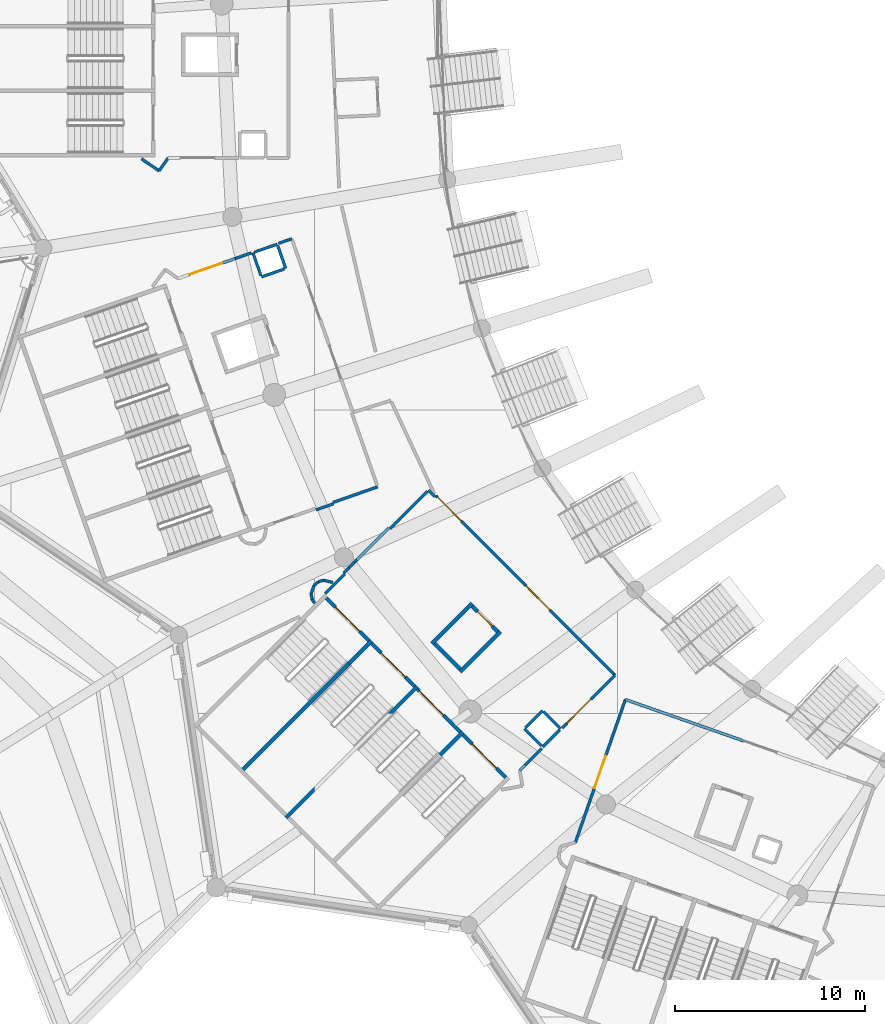
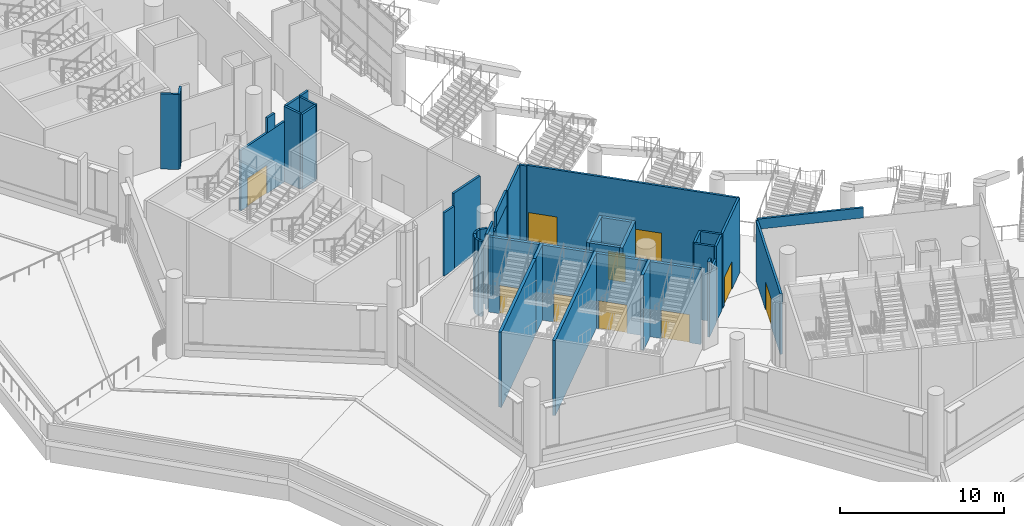
# One storey, part 43 of 173: 46 walls, 10 doors, 10 openings.
"""IFC4 building model written with IfcOpenShell, lengths in metres."""

from ifc_helpers import new_model, si_unit, direction, frame, frame_2d, origin, place, context, subcontext, project, spatial, rectangle, extrude, material, layer, layer_set, type_object, element, fill, save


model = new_model("IFC4")

# Units and contexts
model_context = context("Model", 3, precision=1e-05, world=origin(), true_north=direction((0.0, 1.0)))
body_context = subcontext(model_context, "Body", "Model", "MODEL_VIEW")
ifc_project = project(units=[si_unit("LENGTHUNIT", "METRE"), si_unit("AREAUNIT", "SQUARE_METRE"), si_unit("VOLUMEUNIT", "CUBIC_METRE"), si_unit("PLANEANGLEUNIT", "RADIAN"), si_unit("MASSUNIT", "GRAM", prefix="KILO")], contexts=[model_context])

# Site, building, storey
site_placement = place(None, origin())
site = spatial("IfcSite", under=ifc_project, at=site_placement, CompositionType="ELEMENT")
building_placement = place(site_placement, origin())
building = spatial("IfcBuilding", under=site, at=building_placement, Name="Meseta Stadium", CompositionType="ELEMENT")
storey_placement = place(building_placement, frame((0.0, 0.0, 18.0)))
storey = spatial("IfcBuildingStorey", under=building, at=storey_placement, Name="L03", CompositionType="ELEMENT", Elevation=18.0)

# Walls
ifc_material_1 = material(Name="Concrete C40/50", Category="concrete")
ifc_layer_1 = layer(ifc_material_1, 0.199951171875)
ifc_layer_set_1 = layer_set([ifc_layer_1], Name="Core divider wall 200")
wall_type_1 = type_object("IfcWallType", Name="Core divider wall 200", PredefinedType="SHEAR", material=ifc_layer_set_1)
wall_1_placement = place(storey_placement, frame((-83.90087890625, -83.092529296875, 0.0), z_axis=(0.0, 0.0, 1.0), x_axis=(0.707106781187, 0.707106781187, 0.0)))
element("IfcWall", 1, at=wall_1_placement, inside=storey, type_object=wall_type_1, Name="Core 21 L03 stair A divider wall", PredefinedType="SHEAR", context=body_context, shape_type="SweptSolid", body=[
    extrude(rectangle(XDim=8.099853515625, YDim=0.199951171875, at=frame_2d((4.0498046875, 0.0))), origin(), (0.0, 0.0, 1.0), 5.60009765625),
])
for number, where, z_axis, x_axis, name in (
    (2, (-78.17333984375, -77.364990234375, 0.0), (0.0, 0.0, 1.0), (0.707178586901, 0.707034968179, 0.0), "Core 21 L03 stair A divider wall"),
    (3, (-73.364990234375, -82.17333984375, 0.0), (0.0, 0.0, 1.0), (0.707034968179, 0.707178586901, 0.0), "Core 21 L03 stair B divider wall"),
):
    element("IfcWall", number, at=place(storey_placement, frame(where, z_axis=z_axis, x_axis=x_axis)), inside=storey, type_object=wall_type_1, Name=name, PredefinedType="SHEAR", context=body_context, shape_type="SweptSolid", body=[
        extrude(rectangle(XDim=1.699951171875, YDim=0.199951171875, at=frame_2d((0.85009765625, 0.0))), origin(), (0.0, 0.0, 1.0), 5.60009765625),
    ])
ifc_material_2 = material(Name="Concrete C40/50", Category="concrete")
ifc_layer_2 = layer(ifc_material_2, 0.199951171875)
ifc_layer_set_2 = layer_set([ifc_layer_2], Name="Core shaft wall 200")
wall_type_2 = type_object("IfcWallType", Name="Core shaft wall 200", PredefinedType="SHEAR", material=ifc_layer_set_2)
wall_2_placement = place(storey_placement, frame((-81.496826171875, -85.496826171875, 0.0), z_axis=(0.0, 0.0, 1.0), x_axis=(0.707106781187, 0.707106781187, 0.0)))
element("IfcWall", 4, at=wall_2_placement, inside=storey, type_object=wall_type_2, Name="Core 21 L03 stair wall shared", PredefinedType="SHEAR", context=body_context, shape_type="SweptSolid", body=[
    extrude(rectangle(XDim=9.800048828125, YDim=0.199951171875, at=frame_2d((4.89990234375, 0.0))), origin(), (0.0, 0.0, 1.0), 5.60009765625),
])

# Wall, opening, door
wall_3_placement = place(storey_placement, frame((-79.37548828125, -73.900146484375, 0.0), z_axis=(0.0, 0.0, 1.0), x_axis=(0.707068634461, -0.707144925854, 0.0)))
wall_3 = element("IfcWall", 5, at=wall_3_placement, inside=storey, type_object=wall_type_2, Name="Core 21 L03 stair A1 inner end wall", PredefinedType="SHEAR", context=body_context, shape_type="SweptSolid", body=[
    extrude(rectangle(XDim=3.2001953125, YDim=0.199951171875, at=frame_2d((1.60009765625, 0.0))), origin(), (0.0, 0.0, 1.0), 5.60009765625),
])
opening_1_placement = place(wall_3_placement, frame((0.699951171875, 0.0, 0.0)))
opening_1 = element("IfcOpeningElement", 6, at=opening_1_placement, cuts=wall_3, Name="Opening D1333", PredefinedType="OPENING", context=body_context, shape_type="SweptSolid", body=[
    extrude(rectangle(XDim=1.800048828125, YDim=2.10009765625, at=frame_2d((0.89990234375, 1.050048828125))), frame((0.0, 0.10986328125, 0.0), z_axis=(0.0, -1.0, 0.0), x_axis=(1.0, 0.0, 0.0)), (0.0, 0.0, 1.0), 0.219970703125),
])
ifc_material_3 = material(Name="Steel", Category="steel")
door_type_1 = type_object("IfcDoorType", Name="Stair door 1800x2100", OperationType="DOUBLE_DOOR_SINGLE_SWING", PredefinedType="DOOR", material=ifc_material_3)
door_1_placement = place(opening_1_placement, origin())
door_1 = element("IfcDoor", 7, at=door_1_placement, inside=storey, type_object=door_type_1, Name="Stair A1 door 21 L03", OperationType="DOUBLE_DOOR_SINGLE_SWING", OverallHeight=2.10009765625, OverallWidth=1.800048828125, PredefinedType="DOOR", context=body_context, shape_type="SweptSolid", body=[
    extrude(rectangle(XDim=1.800048828125, YDim=2.10009765625, at=frame_2d((0.89990234375, 1.050048828125))), frame((0.0, 0.02490234375, 0.0), z_axis=(0.0, -1.0, 0.0), x_axis=(1.0, 0.0, 0.0)), (0.0, 0.0, 1.0), 0.050048828125),
])
fill(opening_1, door_1)

wall_4_placement = place(storey_placement, frame((-76.97119140625, -76.304443359375, 0.0), z_axis=(0.0, 0.0, 1.0), x_axis=(0.707106781187, -0.707106781187, 0.0)))
wall_4 = element("IfcWall", 8, at=wall_4_placement, inside=storey, type_object=wall_type_2, Name="Core 21 L03 stair A2 inner end wall", PredefinedType="SHEAR", context=body_context, shape_type="SweptSolid", body=[
    extrude(rectangle(XDim=3.199951171875, YDim=0.199951171875, at=frame_2d((1.60009765625, 0.0))), origin(), (0.0, 0.0, 1.0), 5.60009765625),
])
opening_2_placement = place(wall_4_placement, frame((0.699951171875, 0.0, 0.0)))
opening_2 = element("IfcOpeningElement", 9, at=opening_2_placement, cuts=wall_4, Name="Opening D1340", PredefinedType="OPENING", context=body_context, shape_type="SweptSolid", body=[
    extrude(rectangle(XDim=1.800048828125, YDim=2.10009765625, at=frame_2d((0.89990234375, 1.050048828125))), frame((0.0, 0.10986328125, 0.0), z_axis=(0.0, -1.0, 0.0), x_axis=(1.0, 0.0, 0.0)), (0.0, 0.0, 1.0), 0.219970703125),
])
door_2_placement = place(opening_2_placement, origin())
door_2 = element("IfcDoor", 10, at=door_2_placement, inside=storey, type_object=door_type_1, Name="Stair A2 door 21 L03", OperationType="DOUBLE_DOOR_SINGLE_SWING", OverallHeight=2.10009765625, OverallWidth=1.800048828125, PredefinedType="DOOR", context=body_context, shape_type="SweptSolid", body=[
    extrude(rectangle(XDim=1.800048828125, YDim=2.10009765625, at=frame_2d((0.89990234375, 1.050048828125))), frame((0.0, 0.02490234375, 0.0), z_axis=(0.0, -1.0, 0.0), x_axis=(1.0, 0.0, 0.0)), (0.0, 0.0, 1.0), 0.050048828125),
])
fill(opening_2, door_2)

wall_5_placement = place(storey_placement, frame((-74.567138671875, -78.70849609375, 0.0), z_axis=(0.0, 0.0, 1.0), x_axis=(0.707106781187, -0.707106781187, 0.0)))
wall_5 = element("IfcWall", 11, at=wall_5_placement, inside=storey, type_object=wall_type_2, Name="Core 21 L03 stair B1 inner end wall", PredefinedType="SHEAR", context=body_context, shape_type="SweptSolid", body=[
    extrude(rectangle(XDim=3.199951171875, YDim=0.199951171875, at=frame_2d((1.60009765625, 0.0))), origin(), (0.0, 0.0, 1.0), 5.60009765625),
])
opening_3_placement = place(wall_5_placement, frame((0.14990234375, 0.0, 0.0)))
opening_3 = element("IfcOpeningElement", 12, at=opening_3_placement, cuts=wall_5, Name="Opening D1342", PredefinedType="OPENING", context=body_context, shape_type="SweptSolid", body=[
    extrude(rectangle(XDim=1.800048828125, YDim=2.10009765625, at=frame_2d((0.89990234375, 1.050048828125))), frame((0.0, 0.10986328125, 0.0), z_axis=(0.0, -1.0, 0.0), x_axis=(1.0, 0.0, 0.0)), (0.0, 0.0, 1.0), 0.219970703125),
])
door_3_placement = place(opening_3_placement, origin())
door_3 = element("IfcDoor", 13, at=door_3_placement, inside=storey, type_object=door_type_1, Name="Stair B1 door 21 L03", OperationType="DOUBLE_DOOR_SINGLE_SWING", OverallHeight=2.10009765625, OverallWidth=1.800048828125, PredefinedType="DOOR", context=body_context, shape_type="SweptSolid", body=[
    extrude(rectangle(XDim=1.800048828125, YDim=2.10009765625, at=frame_2d((0.89990234375, 1.050048828125))), frame((0.0, 0.02490234375, 0.0), z_axis=(0.0, -1.0, 0.0), x_axis=(1.0, 0.0, 0.0)), (0.0, 0.0, 1.0), 0.050048828125),
])
fill(opening_3, door_3)

wall_6_placement = place(storey_placement, frame((-72.1630859375, -81.11279296875, 0.0), z_axis=(0.0, 0.0, 1.0), x_axis=(0.707144925854, -0.707068634461, 0.0)))
wall_6 = element("IfcWall", 14, at=wall_6_placement, inside=storey, type_object=wall_type_2, Name="Core 21 L03 stair B2 inner end wall", PredefinedType="SHEAR", context=body_context, shape_type="SweptSolid", body=[
    extrude(rectangle(XDim=3.2001953125, YDim=0.199951171875, at=frame_2d((1.60009765625, 0.0))), origin(), (0.0, 0.0, 1.0), 5.60009765625),
])
opening_4_placement = place(wall_6_placement, frame((0.699951171875, 0.0, 0.0)))
opening_4 = element("IfcOpeningElement", 15, at=opening_4_placement, cuts=wall_6, Name="Opening D1345", PredefinedType="OPENING", context=body_context, shape_type="SweptSolid", body=[
    extrude(rectangle(XDim=1.800048828125, YDim=2.10009765625, at=frame_2d((0.89990234375, 1.050048828125))), frame((0.0, 0.10986328125, 0.0), z_axis=(0.0, -1.0, 0.0), x_axis=(1.0, 0.0, 0.0)), (0.0, 0.0, 1.0), 0.219970703125),
])
door_4_placement = place(opening_4_placement, origin())
door_4 = element("IfcDoor", 16, at=door_4_placement, inside=storey, type_object=door_type_1, Name="Stair B2 door 21 L03", OperationType="DOUBLE_DOOR_SINGLE_SWING", OverallHeight=2.10009765625, OverallWidth=1.800048828125, PredefinedType="DOOR", context=body_context, shape_type="SweptSolid", body=[
    extrude(rectangle(XDim=1.800048828125, YDim=2.10009765625, at=frame_2d((0.89990234375, 1.050048828125))), frame((0.0, 0.02490234375, 0.0), z_axis=(0.0, -1.0, 0.0), x_axis=(1.0, 0.0, 0.0)), (0.0, 0.0, 1.0), 0.050048828125),
])
fill(opening_4, door_4)

# Walls
for number, where, z_axis, x_axis, name in (
    (17, (-73.796875, -76.311767578125, 0.0), (0.0, 0.0, 1.0), (0.707106781187, 0.707106781187, 0.0), "Core 21 L03 lift shaft wall left"),
    (18, (-72.311767578125, -77.796875, 0.0), (0.0, 0.0, 1.0), (0.707106781187, 0.707106781187, 0.0), "Core 21 L03 lift shaft wall right"),
):
    element("IfcWall", number, at=place(storey_placement, frame(where, z_axis=z_axis, x_axis=x_axis)), inside=storey, type_object=wall_type_2, Name=name, PredefinedType="SHEAR", context=body_context, shape_type="SweptSolid", body=[
        extrude(rectangle(XDim=3.0, YDim=0.199951171875, at=frame_2d((1.5, 0.0))), origin(), (0.0, 0.0, 1.0), 4.60009765625),
    ])
wall_7_placement = place(storey_placement, frame((-73.655517578125, -76.311767578125, 0.0), z_axis=(0.0, 0.0, 1.0), x_axis=(0.707106781187, -0.707106781187, 0.0)))
element("IfcWall", 19, at=wall_7_placement, inside=storey, type_object=wall_type_2, Name="Core 21 L03 lift shaft back wall", PredefinedType="SHEAR", context=body_context, shape_type="SweptSolid", body=[
    extrude(rectangle(XDim=1.900390625, YDim=0.199951171875, at=frame_2d((0.9501953125, 0.0))), origin(), (0.0, 0.0, 1.0), 4.60009765625),
])

# Wall, opening, door
wall_8_placement = place(storey_placement, frame((-71.675537109375, -74.331787109375, 0.0), z_axis=(0.0, 0.0, 1.0), x_axis=(0.707106781187, -0.707106781187, 0.0)))
wall_8 = element("IfcWall", 20, at=wall_8_placement, inside=storey, type_object=wall_type_2, Name="Core 21 L03 lift shaft front wall", PredefinedType="SHEAR", context=body_context, shape_type="SweptSolid", body=[
    extrude(rectangle(XDim=1.900390625, YDim=0.199951171875, at=frame_2d((0.9501953125, 0.0))), origin(), (0.0, 0.0, 1.0), 4.60009765625),
])
opening_5_placement = place(wall_8_placement, frame((0.39990234375, 0.0, 0.0)))
opening_5 = element("IfcOpeningElement", 21, at=opening_5_placement, cuts=wall_8, Name="Opening LD119", PredefinedType="OPENING", context=body_context, shape_type="SweptSolid", body=[
    extrude(rectangle(XDim=1.10009765625, YDim=2.10009765625, at=frame_2d((0.550048828125, 1.050048828125))), frame((0.0, 0.10986328125, 0.0), z_axis=(0.0, -1.0, 0.0), x_axis=(1.0, 0.0, 0.0)), (0.0, 0.0, 1.0), 0.219970703125),
])
ifc_material_4 = material(Name="Steel", Category="steel")
door_type_2 = type_object("IfcDoorType", Name="Lift landing door 1100x2100", OperationType="SLIDING_TO_LEFT", PredefinedType="DOOR", material=ifc_material_4)
door_5_placement = place(opening_5_placement, origin())
door_5 = element("IfcDoor", 22, at=door_5_placement, inside=storey, type_object=door_type_2, Name="Lift landing door LD119", OperationType="SLIDING_TO_LEFT", OverallHeight=2.10009765625, OverallWidth=1.10009765625, PredefinedType="DOOR", context=body_context, shape_type="SweptSolid", body=[
    extrude(rectangle(XDim=1.10009765625, YDim=2.10009765625, at=frame_2d((0.550048828125, 1.050048828125))), frame((0.0, 0.02490234375, 0.0), z_axis=(0.0, -1.0, 0.0), x_axis=(1.0, 0.0, 0.0)), (0.0, 0.0, 1.0), 0.050048828125),
])
fill(opening_5, door_5)

# Walls
ifc_material_5 = material(Name="Masonry blockwork", Category="masonry")
ifc_layer_3 = layer(ifc_material_5, 0.14990234375)
ifc_layer_set_3 = layer_set([ifc_layer_3], Name="Partition 150")
wall_type_3 = type_object("IfcWallType", Name="Partition 150", PredefinedType="PARTITIONING", material=ifc_layer_set_3)
wall_9_placement = place(storey_placement, frame((-79.0087890625, -68.860595703125, 0.0), z_axis=(0.0, 0.0, 1.0), x_axis=(0.943873667714, 0.330306674768, 0.0)))
element("IfcWall", 23, at=wall_9_placement, inside=storey, type_object=wall_type_3, Name="Partition L03 L03-cell19-1-0w", PredefinedType="PARTITIONING", context=body_context, shape_type="SweptSolid", body=[
    extrude(rectangle(XDim=2.485595703125, YDim=0.14990234375, at=frame_2d((1.24267578125, 0.0))), origin(), (0.0, 0.0, 1.0), 5.60009765625),
])
wall_10_placement = place(storey_placement, frame((-73.63525390625, -68.5537109375, 0.0), z_axis=(0.0, 0.0, 1.0), x_axis=(-0.707106781187, 0.707106781187, 0.0)))
element("IfcWall", 24, at=wall_10_placement, inside=storey, type_object=wall_type_3, Name="Partition L03 L03-cell19-1-0w", PredefinedType="PARTITIONING", context=body_context, shape_type="SweptSolid", body=[
    extrude(rectangle(XDim=0.478271484375, YDim=0.14990234375, at=frame_2d((0.2392578125, 0.0))), origin(), (0.0, 0.0, 1.0), 5.60009765625),
])
wall_11_placement = place(storey_placement, frame((-74.026611328125, -68.2685546875, 0.0), z_axis=(0.0, 0.0, 1.0), x_axis=(-0.707106781187, -0.707106781187, 0.0)))
element("IfcWall", 25, at=wall_11_placement, inside=storey, type_object=wall_type_3, Name="Partition L03 L03-cell19-1-0w", PredefinedType="PARTITIONING", context=body_context, shape_type="SweptSolid", body=[
    extrude(rectangle(XDim=2.812255859375, YDim=0.14990234375, at=frame_2d((1.40625, 0.0))), origin(), (0.0, 0.0, 1.0), 5.60009765625),
])
wall_12_placement = place(storey_placement, frame((-78.39697265625, -72.638916015625, 0.0), z_axis=(0.0, 0.0, 1.0), x_axis=(-0.707106781187, -0.707106781187, 0.0)))
element("IfcWall", 26, at=wall_12_placement, inside=storey, type_object=wall_type_3, Name="Partition L03 L03-cell19-1-0w", PredefinedType="PARTITIONING", context=body_context, shape_type="SweptSolid", body=[
    extrude(rectangle(XDim=1.44384765625, YDim=0.14990234375, at=frame_2d((0.721923828125, 0.0))), origin(), (0.0, 0.0, 1.0), 5.60009765625),
])
wall_13_placement = place(storey_placement, frame((-89.11962890625, -50.739501953125, 0.0), z_axis=(0.0, 0.0, 1.0), x_axis=(0.827055308354, -0.562120553728, 0.0)))
element("IfcWall", 27, at=wall_13_placement, inside=storey, type_object=wall_type_3, Name="Stair vestibule wall L03 core 19", PredefinedType="PARTITIONING", context=body_context, shape_type="SweptSolid", body=[
    extrude(rectangle(XDim=1.1279296875, YDim=0.14990234375, at=frame_2d((0.56396484375, 0.0))), origin(), (0.0, 0.0, 1.0), 5.60009765625),
])
wall_14_placement = place(storey_placement, frame((-88.186767578125, -51.37353515625, 0.0), z_axis=(0.0, 0.0, 1.0), x_axis=(0.575376756214, 0.817888493872, 0.0)))
element("IfcWall", 28, at=wall_14_placement, inside=storey, type_object=wall_type_3, Name="Stair vestibule wall L03 core 19", PredefinedType="PARTITIONING", context=body_context, shape_type="SweptSolid", body=[
    extrude(rectangle(XDim=0.82958984375, YDim=0.14990234375, at=frame_2d((0.414794921875, 0.0))), origin(), (0.0, 0.0, 1.0), 5.60009765625),
])
for number, where, z_axis, x_axis, name in (
    (29, (-83.234619140625, -55.692138671875, 0.0), (0.0, 0.0, 1.0), (0.330324835387, -0.943867312246, 0.0), "Pressurisation shaft wall L03 core 20"),
    (30, (-82.78857421875, -56.96630859375, 0.0), (0.0, 0.0, 1.0), (0.943927004722, 0.330154221169, 0.0), "Pressurisation shaft wall L03 core 20"),
    (31, (-81.514404296875, -56.5205078125, 0.0), (0.0, 0.0, 1.0), (-0.330154221169, 0.943927004722, 0.0), "Pressurisation shaft wall L03 core 20"),
):
    element("IfcWall", number, at=place(storey_placement, frame(where, z_axis=z_axis, x_axis=x_axis)), inside=storey, type_object=wall_type_3, Name=name, PredefinedType="PARTITIONING", context=body_context, shape_type="SweptSolid", body=[
        extrude(rectangle(XDim=1.27490234375, YDim=0.14990234375, at=frame_2d((0.637451171875, 0.0))), origin(), (0.0, 0.0, 1.0), 5.60009765625),
    ])
wall_15_placement = place(storey_placement, frame((-81.960205078125, -55.246337890625, 0.0), z_axis=(0.0, 0.0, 1.0), x_axis=(-0.943888201207, -0.330265141396, 0.0)))
element("IfcWall", 32, at=wall_15_placement, inside=storey, type_object=wall_type_3, Name="Pressurisation shaft wall L03 core 20", PredefinedType="PARTITIONING", context=body_context, shape_type="SweptSolid", body=[
    extrude(rectangle(XDim=1.275146484375, YDim=0.14990234375, at=frame_2d((0.6376953125, 0.0))), origin(), (0.0, 0.0, 1.0), 5.60009765625),
])
wall_16_placement = place(storey_placement, frame((-79.9130859375, -69.25634765625, 0.0), z_axis=(0.0, 0.0, 1.0), x_axis=(0.943893508812, 0.330249972024, 0.0)))
element("IfcWall", 33, at=wall_16_placement, inside=storey, type_object=wall_type_3, Name="Stair vestibule wall L03 core 20", PredefinedType="PARTITIONING", context=body_context, shape_type="SweptSolid", body=[
    extrude(rectangle(XDim=0.974365234375, YDim=0.14990234375, at=frame_2d((0.4873046875, 0.0))), origin(), (0.0, 0.0, 1.0), 4.699951171875),
])
wall_17_placement = place(storey_placement, frame((-81.193115234375, -54.956787109375, 0.0), z_axis=(0.0, 0.0, 1.0), x_axis=(-0.943920171365, -0.330173757421, 0.0)))
element("IfcWall", 34, at=wall_17_placement, inside=storey, type_object=wall_type_3, Name="Stair vestibule wall L03 core 20", PredefinedType="PARTITIONING", context=body_context, shape_type="SweptSolid", body=[
    extrude(rectangle(XDim=0.73876953125, YDim=0.14990234375, at=frame_2d((0.369384765625, 0.0))), origin(), (0.0, 0.0, 1.0), 5.60009765625),
])

# Wall, opening, door
wall_18_placement = place(storey_placement, frame((-83.3212890625, -55.701416015625, 0.0), z_axis=(0.0, 0.0, 1.0), x_axis=(-0.943873211719, -0.330307977801, 0.0)))
wall_18 = element("IfcWall", 35, at=wall_18_placement, inside=storey, type_object=wall_type_3, Name="Stair vestibule wall L03 core 20", PredefinedType="PARTITIONING", context=body_context, shape_type="SweptSolid", body=[
    extrude(rectangle(XDim=4.09912109375, YDim=0.14990234375, at=frame_2d((2.049560546875, 0.0))), origin(), (0.0, 0.0, 1.0), 4.5),
])
opening_6_placement = place(wall_18_placement, frame((1.64990234375, 0.0, 0.0)))
opening_6 = element("IfcOpeningElement", 36, at=opening_6_placement, cuts=wall_18, Name="Opening D1310", PredefinedType="OPENING", context=body_context, shape_type="SweptSolid", body=[
    extrude(rectangle(XDim=1.800048828125, YDim=2.10009765625, at=frame_2d((0.89990234375, 1.050048828125))), frame((0.0, 0.0849609375, 0.0), z_axis=(0.0, -1.0, 0.0), x_axis=(1.0, 0.0, 0.0)), (0.0, 0.0, 1.0), 0.169921875),
])
ifc_material_6 = material(Name="Steel", Category="steel")
door_type_3 = type_object("IfcDoorType", Name="Fire double door 1800x2100 EI2 60", OperationType="DOUBLE_DOOR_SINGLE_SWING", PredefinedType="DOOR", material=ifc_material_6)
door_6_placement = place(opening_6_placement, origin())
door_6 = element("IfcDoor", 37, at=door_6_placement, inside=storey, type_object=door_type_3, Name="Stair vestibule door L03 core 20", OperationType="DOUBLE_DOOR_SINGLE_SWING", OverallHeight=2.10009765625, OverallWidth=1.800048828125, PredefinedType="DOOR", context=body_context, shape_type="SweptSolid", body=[
    extrude(rectangle(XDim=1.800048828125, YDim=2.10009765625, at=frame_2d((0.89990234375, 1.050048828125))), frame((0.0, 0.02490234375, 0.0), z_axis=(0.0, -1.0, 0.0), x_axis=(1.0, 0.0, 0.0)), (0.0, 0.0, 1.0), 0.050048828125),
])
fill(opening_6, door_6)

# Walls
for number, where, z_axis, x_axis, name in (
    (38, (-68.917724609375, -80.802001953125, 0.0), (0.0, 0.0, 1.0), (0.707106781187, -0.707106781187, 0.0), "Pressurisation shaft wall L03 core 21"),
    (39, (-67.963134765625, -81.756591796875, 0.0), (0.0, 0.0, 1.0), (0.707106781187, 0.707106781187, 0.0), "Pressurisation shaft wall L03 core 21"),
    (40, (-67.008544921875, -80.802001953125, 0.0), (0.0, 0.0, 1.0), (-0.707106781187, 0.707106781187, 0.0), "Pressurisation shaft wall L03 core 21"),
):
    element("IfcWall", number, at=place(storey_placement, frame(where, z_axis=z_axis, x_axis=x_axis)), inside=storey, type_object=wall_type_3, Name=name, PredefinedType="PARTITIONING", context=body_context, shape_type="SweptSolid", body=[
        extrude(rectangle(XDim=1.275146484375, YDim=0.14990234375, at=frame_2d((0.6376953125, 0.0))), origin(), (0.0, 0.0, 1.0), 5.60009765625),
    ])
wall_19_placement = place(storey_placement, frame((-67.963134765625, -79.847412109375, 0.0), z_axis=(0.0, 0.0, 1.0), x_axis=(-0.707202523759, -0.707011025648, 0.0)))
element("IfcWall", 41, at=wall_19_placement, inside=storey, type_object=wall_type_3, Name="Pressurisation shaft wall L03 core 21", PredefinedType="PARTITIONING", context=body_context, shape_type="SweptSolid", body=[
    extrude(rectangle(XDim=1.27490234375, YDim=0.14990234375, at=frame_2d((0.637451171875, 0.0))), origin(), (0.0, 0.0, 1.0), 5.60009765625),
])

# Wall, opening, door
wall_20_placement = place(storey_placement, frame((-66.934326171875, -80.756103515625, 0.0), z_axis=(0.0, 0.0, 1.0), x_axis=(0.707075757526, 0.707137803486, 0.0)))
wall_20 = element("IfcWall", 42, at=wall_20_placement, inside=storey, type_object=wall_type_3, Name="Stair vestibule wall L03 core 21", PredefinedType="PARTITIONING", context=body_context, shape_type="SweptSolid", body=[
    extrude(rectangle(XDim=3.934814453125, YDim=0.14990234375, at=frame_2d((1.96728515625, 0.0))), origin(), (0.0, 0.0, 1.0), 5.60009765625),
])
opening_7_placement = place(wall_20_placement, frame((0.35009765625, 0.0, 0.0)))
opening_7 = element("IfcOpeningElement", 43, at=opening_7_placement, cuts=wall_20, Name="Opening D1349", PredefinedType="OPENING", context=body_context, shape_type="SweptSolid", body=[
    extrude(rectangle(XDim=1.800048828125, YDim=2.10009765625, at=frame_2d((0.89990234375, 1.050048828125))), frame((0.0, 0.0849609375, 0.0), z_axis=(0.0, -1.0, 0.0), x_axis=(1.0, 0.0, 0.0)), (0.0, 0.0, 1.0), 0.169921875),
])
door_7_placement = place(opening_7_placement, origin())
door_7 = element("IfcDoor", 44, at=door_7_placement, inside=storey, type_object=door_type_3, Name="Stair vestibule door L03 core 21", OperationType="DOUBLE_DOOR_SINGLE_SWING", OverallHeight=2.10009765625, OverallWidth=1.800048828125, PredefinedType="DOOR", context=body_context, shape_type="SweptSolid", body=[
    extrude(rectangle(XDim=1.800048828125, YDim=2.10009765625, at=frame_2d((0.89990234375, 1.050048828125))), frame((0.0, 0.02490234375, 0.0), z_axis=(0.0, -1.0, 0.0), x_axis=(1.0, 0.0, 0.0)), (0.0, 0.0, 1.0), 0.050048828125),
])
fill(opening_7, door_7)

# Wall, openings, doors
wall_21_placement = place(storey_placement, frame((-64.152099609375, -77.9736328125, 0.0), z_axis=(0.0, 0.0, 1.0), x_axis=(-0.705496399325, 0.70871350385, 0.0)))
wall_21 = element("IfcWall", 45, at=wall_21_placement, inside=storey, type_object=wall_type_3, Name="Stair vestibule wall L03 core 21", PredefinedType="PARTITIONING", context=body_context, shape_type="SweptSolid", body=[
    extrude(rectangle(XDim=13.3564453125, YDim=0.14990234375, at=frame_2d((6.67822265625, 0.0))), origin(), (0.0, 0.0, 1.0), 5.60009765625),
])
opening_8_placement = place(wall_21_placement, frame((4.85009765625, 0.0, 0.0)))
opening_8 = element("IfcOpeningElement", 46, at=opening_8_placement, cuts=wall_21, Name="Opening D1347", PredefinedType="OPENING", context=body_context, shape_type="SweptSolid", body=[
    extrude(rectangle(XDim=1.800048828125, YDim=2.10009765625, at=frame_2d((0.89990234375, 1.050048828125))), frame((0.0, 0.0849609375, 0.0), z_axis=(0.0, -1.0, 0.0), x_axis=(1.0, 0.0, 0.0)), (0.0, 0.0, 1.0), 0.169921875),
])
opening_9_placement = place(wall_21_placement, frame((11.449951171875, 0.0, 0.0)))
opening_9 = element("IfcOpeningElement", 47, at=opening_9_placement, cuts=wall_21, Name="Opening D1343", PredefinedType="OPENING", context=body_context, shape_type="SweptSolid", body=[
    extrude(rectangle(XDim=1.800048828125, YDim=2.10009765625, at=frame_2d((0.89990234375, 1.050048828125))), frame((0.0, 0.0849609375, 0.0), z_axis=(0.0, -1.0, 0.0), x_axis=(1.0, 0.0, 0.0)), (0.0, 0.0, 1.0), 0.169921875),
])
door_8_placement = place(opening_8_placement, origin())
door_8 = element("IfcDoor", 48, at=door_8_placement, inside=storey, type_object=door_type_3, Name="Stair vestibule door L03 core 21", OperationType="DOUBLE_DOOR_SINGLE_SWING", OverallHeight=2.10009765625, OverallWidth=1.800048828125, PredefinedType="DOOR", context=body_context, shape_type="SweptSolid", body=[
    extrude(rectangle(XDim=1.800048828125, YDim=2.10009765625, at=frame_2d((0.89990234375, 1.050048828125))), frame((0.0, 0.02490234375, 0.0), z_axis=(0.0, -1.0, 0.0), x_axis=(1.0, 0.0, 0.0)), (0.0, 0.0, 1.0), 0.050048828125),
])
fill(opening_8, door_8)
door_9_placement = place(opening_9_placement, origin())
door_9 = element("IfcDoor", 49, at=door_9_placement, inside=storey, type_object=door_type_3, Name="Stair vestibule door L03 core 21", OperationType="DOUBLE_DOOR_SINGLE_SWING", OverallHeight=2.10009765625, OverallWidth=1.800048828125, PredefinedType="DOOR", context=body_context, shape_type="SweptSolid", body=[
    extrude(rectangle(XDim=1.800048828125, YDim=2.10009765625, at=frame_2d((0.89990234375, 1.050048828125))), frame((0.0, 0.02490234375, 0.0), z_axis=(0.0, -1.0, 0.0), x_axis=(1.0, 0.0, 0.0)), (0.0, 0.0, 1.0), 0.050048828125),
])
fill(opening_9, door_9)

# Walls
wall_22_placement = place(storey_placement, frame((-76.0751953125, -70.211181640625, 0.0), z_axis=(0.0, 0.0, 1.0), x_axis=(-0.707106781187, -0.707106781187, 0.0)))
element("IfcWall", 50, at=wall_22_placement, inside=storey, type_object=wall_type_3, Name="Stair vestibule wall L03 core 21", PredefinedType="PARTITIONING", context=body_context, shape_type="SweptSolid", body=[
    extrude(rectangle(XDim=2.55810546875, YDim=0.14990234375, at=frame_2d((1.279052734375, 0.0))), origin(), (0.0, 0.0, 1.0), 4.5),
])
wall_23_placement = place(storey_placement, frame((-78.181396484375, -72.3173828125, 0.0), z_axis=(0.0, 0.0, 1.0), x_axis=(-0.707436665332, -0.70677674307, 0.0)))
element("IfcWall", 51, at=wall_23_placement, inside=storey, type_object=wall_type_3, Name="Stair vestibule wall L03 core 21", PredefinedType="PARTITIONING", context=body_context, shape_type="SweptSolid", body=[
    extrude(rectangle(XDim=0.369873046875, YDim=0.14990234375, at=frame_2d((0.18505859375, 0.0))), origin(), (0.0, 0.0, 1.0), 4.5),
])
wall_24_placement = place(storey_placement, frame((-76.0751953125, -70.211181640625, 4.5), z_axis=(0.0, 0.0, 1.0), x_axis=(-0.707157815561, -0.707055743128, 0.0)))
element("IfcWall", 52, at=wall_24_placement, inside=storey, type_object=wall_type_3, Name="Stair vestibule wall L03 core 21", PredefinedType="PARTITIONING", context=body_context, shape_type="SweptSolid", body=[
    extrude(rectangle(XDim=2.391845703125, YDim=0.14990234375, at=frame_2d((1.19580078125, 0.0))), origin(), (0.0, 0.0, 1.0), 1.10009765625),
])
wall_25_placement = place(storey_placement, frame((-79.0263671875, -73.085693359375, 0.0), z_axis=(0.0, 0.0, 1.0), x_axis=(-0.969681687009, 0.244371491545, 0.0)))
element("IfcWall", 53, at=wall_25_placement, inside=storey, type_object=wall_type_3, Name="Stair vestibule wall L03 core 21", PredefinedType="PARTITIONING", context=body_context, shape_type="SweptSolid", body=[
    extrude(rectangle(XDim=0.50048828125, YDim=0.14990234375, at=frame_2d((0.250244140625, 0.0))), origin(), (0.0, 0.0, 1.0), 5.60009765625),
])
for number, where, z_axis, x_axis, name in (
    (54, (-79.51171875, -72.96337890625, 0.0), (0.0, 0.0, 1.0), (-0.956939196296, -0.290288433444, 0.0), "Stair vestibule wall L03 core 21"),
    (55, (-79.78857421875, -73.04736328125, 0.0), (0.0, 0.0, 1.0), (-0.772903591923, -0.634523472845, 0.0), "Stair vestibule wall L03 core 21"),
):
    element("IfcWall", number, at=place(storey_placement, frame(where, z_axis=z_axis, x_axis=x_axis)), inside=storey, type_object=wall_type_3, Name=name, PredefinedType="PARTITIONING", context=body_context, shape_type="SweptSolid", body=[
        extrude(rectangle(XDim=0.289306640625, YDim=0.14990234375, at=frame_2d((0.14453125, 0.0))), origin(), (0.0, 0.0, 1.0), 5.60009765625),
    ])
wall_26_placement = place(storey_placement, frame((-80.01220703125, -73.23095703125, 0.0), z_axis=(0.0, 0.0, 1.0), x_axis=(-0.337078177044, -0.941476660656, 0.0)))
element("IfcWall", 56, at=wall_26_placement, inside=storey, type_object=wall_type_3, Name="Stair vestibule wall L03 core 21", PredefinedType="PARTITIONING", context=body_context, shape_type="SweptSolid", body=[
    extrude(rectangle(XDim=0.4794921875, YDim=0.14990234375, at=frame_2d((0.23974609375, 0.0))), origin(), (0.0, 0.0, 1.0), 5.60009765625),
])
wall_27_placement = place(storey_placement, frame((-80.173828125, -73.682373046875, 0.0), z_axis=(0.0, 0.0, 1.0), x_axis=(0.194974845214, -0.9808082431, 0.0)))
element("IfcWall", 57, at=wall_27_placement, inside=storey, type_object=wall_type_3, Name="Stair vestibule wall L03 core 21", PredefinedType="PARTITIONING", context=body_context, shape_type="SweptSolid", body=[
    extrude(rectangle(XDim=0.2880859375, YDim=0.14990234375, at=frame_2d((0.14404296875, 0.0))), origin(), (0.0, 0.0, 1.0), 5.60009765625),
])
wall_28_placement = place(storey_placement, frame((-80.11767578125, -73.96484375, 0.0), z_axis=(0.0, 0.0, 1.0), x_axis=(0.525734867085, -0.850648487644, 0.0)))
element("IfcWall", 58, at=wall_28_placement, inside=storey, type_object=wall_type_3, Name="Stair vestibule wall L03 core 21", PredefinedType="PARTITIONING", context=body_context, shape_type="SweptSolid", body=[
    extrude(rectangle(XDim=0.2578125, YDim=0.14990234375, at=frame_2d((0.12890625, 0.0))), origin(), (0.0, 0.0, 1.0), 5.60009765625),
])
wall_29_placement = place(storey_placement, frame((-69.16796875, -82.98974609375, 0.0), z_axis=(0.0, 0.0, 1.0), x_axis=(0.707106781187, 0.707106781187, 0.0)))
element("IfcWall", 59, at=wall_29_placement, inside=storey, type_object=wall_type_3, Name="Stair vestibule wall L03 core 21", PredefinedType="PARTITIONING", context=body_context, shape_type="SweptSolid", body=[
    extrude(rectangle(XDim=1.64306640625, YDim=0.14990234375, at=frame_2d((0.821533203125, 0.0))), origin(), (0.0, 0.0, 1.0), 4.699951171875),
])
wall_30_placement = place(storey_placement, frame((-69.16796875, -82.98974609375, 4.699951171875), z_axis=(0.0, 0.0, 1.0), x_axis=(0.706809490168, 0.707403947267, 0.0)))
element("IfcWall", 60, at=wall_30_placement, inside=storey, type_object=wall_type_3, Name="Stair vestibule wall L03 core 21", PredefinedType="PARTITIONING", context=body_context, shape_type="SweptSolid", body=[
    extrude(rectangle(XDim=0.41064453125, YDim=0.14990234375, at=frame_2d((0.205322265625, 0.0))), origin(), (0.0, 0.0, 1.0), 0.900146484375),
])
wall_31_placement = place(storey_placement, frame((-77.884033203125, -72.02001953125, 0.0), z_axis=(0.0, 0.0, 1.0), x_axis=(-0.707106781187, -0.707106781187, 0.0)))
element("IfcWall", 61, at=wall_31_placement, inside=storey, type_object=wall_type_3, Name="Stair vestibule wall L03 core 21", PredefinedType="PARTITIONING", context=body_context, shape_type="SweptSolid", body=[
    extrude(rectangle(XDim=0.420654296875, YDim=0.14990234375, at=frame_2d((0.21044921875, 0.0))), origin(), (0.0, 0.0, 1.0), 4.5),
])
wall_32_placement = place(storey_placement, frame((-57.375732421875, -81.435302734375, 3.8544921875), z_axis=(0.0, 0.0, 1.0), x_axis=(-0.943873372054, 0.330307519634, 0.0)))
element("IfcWall", 62, at=wall_32_placement, inside=storey, type_object=wall_type_3, Name="Stair vestibule wall L03 core 22", PredefinedType="PARTITIONING", context=body_context, shape_type="SweptSolid", body=[
    extrude(rectangle(XDim=6.590087890625, YDim=0.14990234375, at=frame_2d((3.294921875, 0.0))), origin(), (0.0, 0.0, 1.0), 0.757568359375),
])

# Wall, opening, door
wall_33_placement = place(storey_placement, frame((-63.595947265625, -79.258544921875, 0.0), z_axis=(0.0, 0.0, 1.0), x_axis=(-0.330252316135, -0.94389268865, 0.0)))
wall_33 = element("IfcWall", 63, at=wall_33_placement, inside=storey, type_object=wall_type_3, Name="Stair vestibule wall L03 core 22", PredefinedType="PARTITIONING", context=body_context, shape_type="SweptSolid", body=[
    extrude(rectangle(XDim=7.98095703125, YDim=0.14990234375, at=frame_2d((3.990478515625, 0.0))), origin(), (0.0, 0.0, 1.0), 4.5),
])
opening_10_placement = place(wall_33_placement, frame((3.14990234375, 0.0, 0.0)))
opening_10 = element("IfcOpeningElement", 64, at=opening_10_placement, cuts=wall_33, Name="Opening D1350", PredefinedType="OPENING", context=body_context, shape_type="SweptSolid", body=[
    extrude(rectangle(XDim=1.800048828125, YDim=2.10009765625, at=frame_2d((0.89990234375, 1.050048828125))), frame((0.0, 0.0849609375, 0.0), z_axis=(0.0, -1.0, 0.0), x_axis=(1.0, 0.0, 0.0)), (0.0, 0.0, 1.0), 0.169921875),
])
door_10_placement = place(opening_10_placement, origin())
door_10 = element("IfcDoor", 65, at=door_10_placement, inside=storey, type_object=door_type_3, Name="Stair vestibule door L03 core 22", OperationType="DOUBLE_DOOR_SINGLE_SWING", OverallHeight=2.10009765625, OverallWidth=1.800048828125, PredefinedType="DOOR", context=body_context, shape_type="SweptSolid", body=[
    extrude(rectangle(XDim=1.800048828125, YDim=2.10009765625, at=frame_2d((0.89990234375, 1.050048828125))), frame((0.0, 0.02490234375, 0.0), z_axis=(0.0, -1.0, 0.0), x_axis=(1.0, 0.0, 0.0)), (0.0, 0.0, 1.0), 0.050048828125),
])
fill(opening_10, door_10)

# Wall
wall_34_placement = place(storey_placement, frame((-84.18115234375, -56.002197265625, 4.5), z_axis=(0.0, 0.0, 1.0), x_axis=(-0.943792058507, -0.330539786257, 0.0)))
element("IfcWall", 66, at=wall_34_placement, inside=storey, type_object=wall_type_3, Name="Stair vestibule wall L03 core 20", PredefinedType="PARTITIONING", context=body_context, shape_type="SweptSolid", body=[
    extrude(rectangle(XDim=0.689208984375, YDim=0.14990234375, at=frame_2d((0.3447265625, 0.0))), origin(), (0.0, 0.0, 1.0), 1.10009765625),
])

save(model, "model.ifc")
